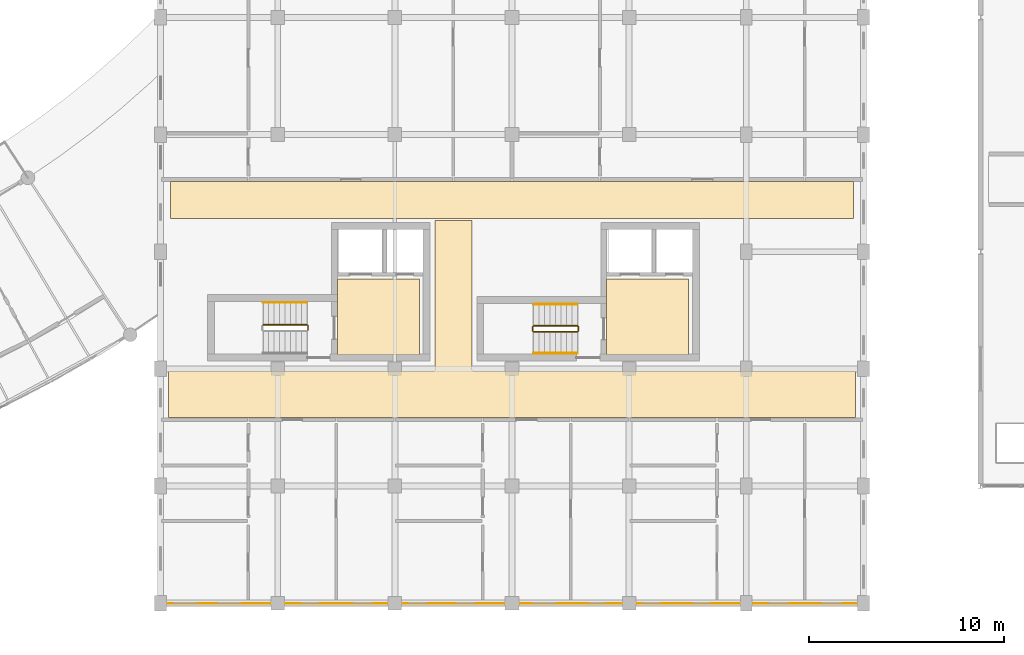
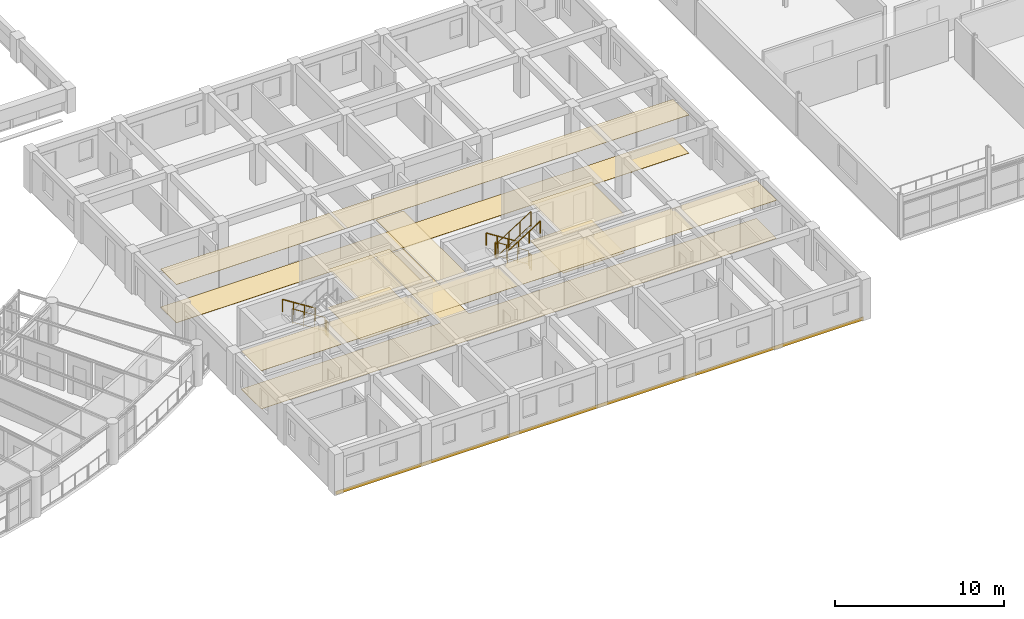
# One storey, part 127 of 137: 9 coverings, 9 railings.
"""IFC4 building model written with IfcOpenShell, lengths in metres."""

from ifc_helpers import new_model, si_unit, direction, frame, origin, origin_2d, place, context, subcontext, project, spatial, polyline, circle, outline, extrude, material, layer, layer_set, type_object, element, save


model = new_model("IFC4")

# Units and contexts
model_context = context("Model", 3, precision=1e-05, world=origin(), true_north=direction((0.0, 1.0)))
body_context = subcontext(model_context, "Body", "Model", "MODEL_VIEW")
ifc_project = project(units=[si_unit("LENGTHUNIT", "METRE"), si_unit("AREAUNIT", "SQUARE_METRE"), si_unit("VOLUMEUNIT", "CUBIC_METRE"), si_unit("PLANEANGLEUNIT", "RADIAN"), si_unit("MASSUNIT", "GRAM", prefix="KILO"), si_unit("POWERUNIT", "WATT"), si_unit("THERMODYNAMICTEMPERATUREUNIT", "KELVIN")], contexts=[model_context])

# Site, building, storey
site_placement = place(None, origin())
site = spatial("IfcSite", under=ifc_project, at=site_placement, CompositionType="ELEMENT")
building_placement = place(site_placement, origin())
building = spatial("IfcBuilding", under=site, at=building_placement, Name="Ruvembo Vaulted Housing Court", CompositionType="ELEMENT")
storey_placement = place(building_placement, frame((0.0, 0.0, 4.5)))
storey = spatial("IfcBuildingStorey", under=building, at=storey_placement, Name="L01", CompositionType="ELEMENT", Elevation=4.5)

# Coverings
ifc_material_1 = material(Name="Perforated Mineral-Fibre Acoustic Tile", Category="gypsum")
ifc_layer_1 = layer(ifc_material_1, 0.02001953125, Name="Perforated Mineral-Fibre Acoustic Tile")
ifc_layer_set_1 = layer_set([ifc_layer_1], Name="Perforated Mineral-Fibre Acoustic Tile")
covering_type_1 = type_object("IfcCoveringType", Name="COV-CEIL-ACOUST", PredefinedType="CEILING", material=ifc_layer_set_1)
covering_1_placement = place(storey_placement, frame((0.0, 0.0, 2.75)))
element("IfcCovering", 1, at=covering_1_placement, inside=storey, type_object=covering_type_1, Name="Protected Core Lobby C1 Ceiling", PredefinedType="CEILING", context=body_context, shape_type="SweptSolid", body=[
    extrude(outline(polyline([(111.050048828125, 16.60009765625), (111.050048828125, 12.699951171875), (115.25, 12.699951171875), (115.25, 16.60009765625), (111.050048828125, 16.60009765625)])), origin(), (0.0, 0.0, 1.0), 0.02001953125),
])
covering_2_placement = place(storey_placement, frame((0.0, 0.0, 2.75)))
element("IfcCovering", 2, at=covering_2_placement, inside=storey, type_object=covering_type_1, Name="Protected Core Lobby C2 Ceiling", PredefinedType="CEILING", context=body_context, shape_type="SweptSolid", body=[
    extrude(outline(polyline([(124.85009765625, 16.60009765625), (124.85009765625, 12.699951171875), (129.050048828125, 12.699951171875), (129.050048828125, 16.60009765625), (124.85009765625, 16.60009765625)])), origin(), (0.0, 0.0, 1.0), 0.02001953125),
])
covering_3_placement = place(storey_placement, frame((0.0, 0.0, 2.75)))
element("IfcCovering", 3, at=covering_3_placement, inside=storey, type_object=covering_type_1, Name="Block C L01 Corridor Ceiling", PredefinedType="CEILING", context=body_context, shape_type="SweptSolid", body=[
    extrude(outline(polyline([(115.949951171875, 11.889892578125), (102.409912109375, 11.889892578125), (102.409912109375, 9.510009765625), (137.590087890625, 9.510009765625), (137.590087890625, 11.889892578125), (118.050048828125, 11.889892578125), (118.039306640625, 11.890380859375), (118.028564453125, 11.89208984375), (118.01806640625, 11.894775390625), (118.0078125, 11.8984375), (117.998046875, 11.903076171875), (117.989013671875, 11.908447265625), (117.980224609375, 11.9150390625), (117.97216796875, 11.922119140625), (117.965087890625, 11.93017578125), (117.95849609375, 11.93896484375), (117.952880859375, 11.947998046875), (117.948486328125, 11.9580078125), (117.944580078125, 11.968017578125), (117.942138671875, 11.978515625), (117.9404296875, 11.9892578125), (117.93994140625, 12.0), (117.93994140625, 19.590087890625), (116.06005859375, 19.590087890625), (116.06005859375, 12.0), (116.0595703125, 11.9892578125), (116.057861328125, 11.978515625), (116.055419921875, 11.968017578125), (116.051513671875, 11.9580078125), (116.047119140625, 11.947998046875), (116.04150390625, 11.93896484375), (116.034912109375, 11.93017578125), (116.02783203125, 11.922119140625), (116.019775390625, 11.9150390625), (116.010986328125, 11.908447265625), (116.001953125, 11.903076171875), (115.9921875, 11.8984375), (115.98193359375, 11.894775390625), (115.971435546875, 11.89208984375), (115.960693359375, 11.890380859375), (115.949951171875, 11.889892578125)])), origin(), (0.0, 0.0, 1.0), 0.02001953125),
])
covering_4_placement = place(storey_placement, frame((0.0, 0.0, 2.75)))
element("IfcCovering", 4, at=covering_4_placement, inside=storey, type_object=covering_type_1, Name="Block C L01 North Sub-Corridor Ceiling", PredefinedType="CEILING", context=body_context, shape_type="SweptSolid", body=[
    extrude(outline(polyline([(137.489990234375, 19.7099609375), (137.489990234375, 21.590087890625), (102.510009765625, 21.590087890625), (102.510009765625, 19.7099609375), (137.489990234375, 19.7099609375)])), origin(), (0.0, 0.0, 1.0), 0.02001953125),
])
ifc_material_2 = material(Name="Lime-Cement Mineral Render", Category="plaster")
ifc_layer_2 = layer(ifc_material_2, 0.02490234375, Name="Lime-Cement Mineral Render")
ifc_layer_set_2 = layer_set([ifc_layer_2], Name="Lime-Cement Mineral Render")
covering_type_2 = type_object("IfcCoveringType", Name="COV-CLAD-RENDER", PredefinedType="CLADDING", material=ifc_layer_set_2)
covering_5_placement = place(storey_placement, frame((0.0, 0.0, -0.25)))
element("IfcCovering", 5, at=covering_5_placement, inside=storey, type_object=covering_type_2, Name="Block C L01 Mineral Render Fascia Band", PredefinedType="CLADDING", context=body_context, shape_type="SweptSolid", body=[
    extrude(outline(polyline([(102.0, -0.030029296875), (138.0, -0.030029296875), (138.0, 0.0), (102.0, 0.0), (102.0, -0.030029296875)])), origin(), (0.0, 0.0, 1.0), 0.25),
])
ifc_material_3 = material(Name="Polished Cement-Aggregate Terrazzo", Category="stone")
ifc_layer_3 = layer(ifc_material_3, 0.02197265625, Name="Polished Cement-Aggregate Terrazzo")
ifc_layer_set_3 = layer_set([ifc_layer_3], Name="Polished Cement-Aggregate Terrazzo")
covering_type_3 = type_object("IfcCoveringType", Name="COV-FLR-CERAMIC", PredefinedType="FLOORING", material=ifc_layer_set_3)
covering_6_placement = place(storey_placement, origin())
element("IfcCovering", 6, at=covering_6_placement, inside=storey, type_object=covering_type_3, Name="Protected Core Lobby C1 Flooring", PredefinedType="FLOORING", context=body_context, shape_type="SweptSolid", body=[
    extrude(outline(polyline([(111.050048828125, 16.60009765625), (111.050048828125, 12.699951171875), (115.25, 12.699951171875), (115.25, 16.60009765625), (111.050048828125, 16.60009765625)])), origin(), (0.0, 0.0, 1.0), 0.02197265625),
])
covering_7_placement = place(storey_placement, origin())
element("IfcCovering", 7, at=covering_7_placement, inside=storey, type_object=covering_type_3, Name="Protected Core Lobby C2 Flooring", PredefinedType="FLOORING", context=body_context, shape_type="SweptSolid", body=[
    extrude(outline(polyline([(124.85009765625, 16.60009765625), (124.85009765625, 12.699951171875), (129.050048828125, 12.699951171875), (129.050048828125, 16.60009765625), (124.85009765625, 16.60009765625)])), origin(), (0.0, 0.0, 1.0), 0.02197265625),
])
covering_8_placement = place(storey_placement, origin())
element("IfcCovering", 8, at=covering_8_placement, inside=storey, type_object=covering_type_3, Name="Block C L01 Corridor Flooring", PredefinedType="FLOORING", context=body_context, shape_type="SweptSolid", body=[
    extrude(outline(polyline([(115.949951171875, 11.889892578125), (102.409912109375, 11.889892578125), (102.409912109375, 9.510009765625), (137.590087890625, 9.510009765625), (137.590087890625, 11.889892578125), (118.050048828125, 11.889892578125), (118.039306640625, 11.890380859375), (118.028564453125, 11.89208984375), (118.01806640625, 11.894775390625), (118.0078125, 11.8984375), (117.998046875, 11.903076171875), (117.989013671875, 11.908447265625), (117.980224609375, 11.9150390625), (117.97216796875, 11.922119140625), (117.965087890625, 11.93017578125), (117.95849609375, 11.93896484375), (117.952880859375, 11.947998046875), (117.948486328125, 11.9580078125), (117.944580078125, 11.968017578125), (117.942138671875, 11.978515625), (117.9404296875, 11.9892578125), (117.93994140625, 12.0), (117.93994140625, 19.590087890625), (116.06005859375, 19.590087890625), (116.06005859375, 12.0), (116.0595703125, 11.9892578125), (116.057861328125, 11.978515625), (116.055419921875, 11.968017578125), (116.051513671875, 11.9580078125), (116.047119140625, 11.947998046875), (116.04150390625, 11.93896484375), (116.034912109375, 11.93017578125), (116.02783203125, 11.922119140625), (116.019775390625, 11.9150390625), (116.010986328125, 11.908447265625), (116.001953125, 11.903076171875), (115.9921875, 11.8984375), (115.98193359375, 11.894775390625), (115.971435546875, 11.89208984375), (115.960693359375, 11.890380859375), (115.949951171875, 11.889892578125)])), origin(), (0.0, 0.0, 1.0), 0.02197265625),
])
covering_9_placement = place(storey_placement, origin())
element("IfcCovering", 9, at=covering_9_placement, inside=storey, type_object=covering_type_3, Name="Block C L01 North Sub-Corridor Flooring", PredefinedType="FLOORING", context=body_context, shape_type="SweptSolid", body=[
    extrude(outline(polyline([(137.489990234375, 19.7099609375), (137.489990234375, 21.590087890625), (102.510009765625, 21.590087890625), (102.510009765625, 19.7099609375), (137.489990234375, 19.7099609375)])), origin(), (0.0, 0.0, 1.0), 0.02197265625),
])

# Railings
ifc_material_4 = material(Name="Painted Galvanised Steel S275", Category="steel")
ifc_layer_4 = layer(ifc_material_4, 0.06005859375, Name="Painted Galvanised Steel S275")
ifc_layer_set_4 = layer_set([ifc_layer_4], Name="Painted Galvanised Steel S275")
railing_type_1 = type_object("IfcRailingType", Name="RL-STAIR-GR1100", PredefinedType="GUARDRAIL", material=ifc_layer_set_4)
railing_1_placement = place(storey_placement, frame((109.5, 14.25, 0.177734375)))
element("IfcRailing", 10, at=railing_1_placement, inside=storey, type_object=railing_type_1, Name="L01 ST-C1 stair guard 1", PredefinedType="GUARDRAIL", context=body_context, shape_type="SweptSolid", body=[
    extrude(circle(Radius=0.02392578125, at=origin_2d()), frame((0.0, 0.0, 1.076171875), z_axis=(-0.84418770128, 0.0, 0.536047689118), x_axis=(0.0, -1.0, 0.0)), (0.0, 0.0, 1.0), 2.6533203125),
    extrude(circle(Radius=0.01806640625, at=origin_2d()), frame((0.0, 0.0, 0.1201171875), z_axis=(-0.84418770128, 0.0, 0.536047689118), x_axis=(0.0, -1.0, 0.0)), (0.0, 0.0, 1.0), 2.6533203125),
    extrude(circle(Radius=0.02099609375, at=origin_2d()), origin(), (0.0, 0.0, 1.0), 1.052001953125),
    extrude(circle(Radius=0.02099609375, at=origin_2d()), frame((-0.74658203125, 0.0, 0.47412109375)), (0.0, 0.0, 1.0), 1.052001953125),
    extrude(circle(Radius=0.02099609375, at=origin_2d()), frame((-1.493408203125, 0.0, 0.9482421875)), (0.0, 0.0, 1.0), 1.052001953125),
    extrude(circle(Radius=0.02099609375, at=origin_2d()), frame((-2.239990234375, 0.0, 1.42236328125)), (0.0, 0.0, 1.0), 1.052001953125),
])
railing_2_placement = place(storey_placement, frame((109.550048828125, 14.199951171875, 0.0)))
element("IfcRailing", 11, at=railing_2_placement, inside=storey, type_object=railing_type_1, Name="L01 ST-C1 stair guard 4", PredefinedType="GUARDRAIL", context=body_context, shape_type="SweptSolid", body=[
    extrude(circle(Radius=0.02392578125, at=origin_2d()), frame((0.0, 0.0, 1.076171875), z_axis=(0.0, -1.0, 0.0), x_axis=(1.0, 0.0, 0.0)), (0.0, 0.0, 1.0), 0.199951171875),
    extrude(circle(Radius=0.01806640625, at=origin_2d()), frame((0.0, 0.0, 0.1201171875), z_axis=(0.0, -1.0, 0.0), x_axis=(1.0, 0.0, 0.0)), (0.0, 0.0, 1.0), 0.199951171875),
    extrude(circle(Radius=0.02099609375, at=origin_2d()), origin(), (0.0, 0.0, 1.0), 1.052001953125),
    extrude(circle(Radius=0.02099609375, at=origin_2d()), frame((0.0, -0.199951171875, 0.0)), (0.0, 0.0, 1.0), 1.052001953125),
])
railing_3_placement = place(storey_placement, frame((123.35009765625, 14.199951171875, 0.177734375)))
element("IfcRailing", 12, at=railing_3_placement, inside=storey, type_object=railing_type_1, Name="L01 ST-C2 stair guard 1", PredefinedType="GUARDRAIL", context=body_context, shape_type="SweptSolid", body=[
    extrude(circle(Radius=0.02392578125, at=origin_2d()), frame((0.0, 0.0, 1.076171875), z_axis=(-0.84418770128, 0.0, 0.536047689118), x_axis=(0.0, -1.0, 0.0)), (0.0, 0.0, 1.0), 2.6533203125),
    extrude(circle(Radius=0.01806640625, at=origin_2d()), frame((0.0, 0.0, 0.1201171875), z_axis=(-0.84418770128, 0.0, 0.536047689118), x_axis=(0.0, -1.0, 0.0)), (0.0, 0.0, 1.0), 2.6533203125),
    extrude(circle(Radius=0.02099609375, at=origin_2d()), origin(), (0.0, 0.0, 1.0), 1.052001953125),
    extrude(circle(Radius=0.02099609375, at=origin_2d()), frame((-0.74658203125, 0.0, 0.47412109375)), (0.0, 0.0, 1.0), 1.052001953125),
    extrude(circle(Radius=0.02099609375, at=origin_2d()), frame((-1.493408203125, 0.0, 0.9482421875)), (0.0, 0.0, 1.0), 1.052001953125),
    extrude(circle(Radius=0.02099609375, at=origin_2d()), frame((-2.239990234375, 0.0, 1.42236328125)), (0.0, 0.0, 1.0), 1.052001953125),
])
railing_4_placement = place(storey_placement, frame((121.06005859375, 14.14990234375, 1.60009765625)))
element("IfcRailing", 13, at=railing_4_placement, inside=storey, type_object=railing_type_1, Name="L01 ST-C2 stair guard 2", PredefinedType="GUARDRAIL", context=body_context, shape_type="SweptSolid", body=[
    extrude(circle(Radius=0.02392578125, at=origin_2d()), frame((0.0, 0.0, 1.076171875), z_axis=(0.0, -1.0, 0.0), x_axis=(1.0, 0.0, 0.0)), (0.0, 0.0, 1.0), 0.199951171875),
    extrude(circle(Radius=0.01806640625, at=origin_2d()), frame((0.0, 0.0, 0.1201171875), z_axis=(0.0, -1.0, 0.0), x_axis=(1.0, 0.0, 0.0)), (0.0, 0.0, 1.0), 0.199951171875),
    extrude(circle(Radius=0.02099609375, at=origin_2d()), origin(), (0.0, 0.0, 1.0), 1.052001953125),
    extrude(circle(Radius=0.02099609375, at=origin_2d()), frame((0.0, -0.199951171875, 0.0)), (0.0, 0.0, 1.0), 1.052001953125),
])
railing_5_placement = place(storey_placement, frame((121.110107421875, 13.89990234375, 1.77783203125)))
element("IfcRailing", 14, at=railing_5_placement, inside=storey, type_object=railing_type_1, Name="L01 ST-C2 stair guard 3", PredefinedType="GUARDRAIL", context=body_context, shape_type="SweptSolid", body=[
    extrude(circle(Radius=0.02392578125, at=origin_2d()), frame((0.0, 0.0, 1.076171875), z_axis=(0.8442293374, 0.0, 0.53598211339), x_axis=(0.0, 1.0, 0.0)), (0.0, 0.0, 1.0), 2.6533203125),
    extrude(circle(Radius=0.01806640625, at=origin_2d()), frame((0.0, 0.0, 0.1201171875), z_axis=(0.8442293374, 0.0, 0.53598211339), x_axis=(0.0, 1.0, 0.0)), (0.0, 0.0, 1.0), 2.6533203125),
    extrude(circle(Radius=0.02099609375, at=origin_2d()), origin(), (0.0, 0.0, 1.0), 1.052001953125),
    extrude(circle(Radius=0.02099609375, at=origin_2d()), frame((0.74658203125, 0.0, 0.47412109375)), (0.0, 0.0, 1.0), 1.052001953125),
    extrude(circle(Radius=0.02099609375, at=origin_2d()), frame((1.493408203125, 0.0, 0.947998046875)), (0.0, 0.0, 1.0), 1.052001953125),
    extrude(circle(Radius=0.02099609375, at=origin_2d()), frame((2.239990234375, 0.0, 1.422119140625)), (0.0, 0.0, 1.0), 1.052001953125),
])
railing_6_placement = place(storey_placement, frame((123.39990234375, 14.14990234375, 0.0)))
element("IfcRailing", 15, at=railing_6_placement, inside=storey, type_object=railing_type_1, Name="L01 ST-C2 stair guard 4", PredefinedType="GUARDRAIL", context=body_context, shape_type="SweptSolid", body=[
    extrude(circle(Radius=0.02392578125, at=origin_2d()), frame((0.0, 0.0, 1.076171875), z_axis=(0.0, -1.0, 0.0), x_axis=(1.0, 0.0, 0.0)), (0.0, 0.0, 1.0), 0.199951171875),
    extrude(circle(Radius=0.01806640625, at=origin_2d()), frame((0.0, 0.0, 0.1201171875), z_axis=(0.0, -1.0, 0.0), x_axis=(1.0, 0.0, 0.0)), (0.0, 0.0, 1.0), 0.199951171875),
    extrude(circle(Radius=0.02099609375, at=origin_2d()), origin(), (0.0, 0.0, 1.0), 1.052001953125),
    extrude(circle(Radius=0.02099609375, at=origin_2d()), frame((0.0, -0.199951171875, 0.0)), (0.0, 0.0, 1.0), 1.052001953125),
])
ifc_material_5 = material(Name="Brushed Stainless Steel 304", Category="steel")
ifc_layer_5 = layer(ifc_material_5, 0.050048828125, Name="Brushed Stainless Steel 304")
ifc_layer_set_5 = layer_set([ifc_layer_5], Name="Brushed Stainless Steel 304")
railing_type_2 = type_object("IfcRailingType", Name="RL-STAIR-HR920", PredefinedType="HANDRAIL", material=ifc_layer_set_5)
for number, where, name in (
    (16, (109.5, 15.39990234375, 0.359375), "L01 ST-C1 stair handrail 1"),
    (17, (123.35009765625, 15.300048828125, 0.359375), "L01 ST-C2 stair handrail 1"),
):
    element("IfcRailing", number, at=place(storey_placement, frame(where)), inside=storey, type_object=railing_type_2, Name=name, PredefinedType="HANDRAIL", context=body_context, shape_type="SweptSolid", body=[
        extrude(circle(Radius=0.02392578125, at=origin_2d()), frame((0.0, 0.0, 0.8759765625), z_axis=(-0.8442293374, 0.0, 0.53598211339), x_axis=(0.0, -1.0, 0.0)), (0.0, 0.0, 1.0), 2.6533203125),
        extrude(circle(Radius=0.02099609375, at=origin_2d()), origin(), (0.0, 0.0, 1.0), 0.851806640625),
        extrude(circle(Radius=0.02099609375, at=origin_2d()), frame((-0.74658203125, 0.0, 0.47412109375)), (0.0, 0.0, 1.0), 0.851806640625),
        extrude(circle(Radius=0.02099609375, at=origin_2d()), frame((-1.493408203125, 0.0, 0.947998046875)), (0.0, 0.0, 1.0), 0.851806640625),
        extrude(circle(Radius=0.02099609375, at=origin_2d()), frame((-2.239990234375, 0.0, 1.422119140625)), (0.0, 0.0, 1.0), 0.851806640625),
    ])
railing_7_placement = place(storey_placement, frame((121.110107421875, 12.800048828125, 1.959228515625)))
element("IfcRailing", 18, at=railing_7_placement, inside=storey, type_object=railing_type_2, Name="L01 ST-C2 stair handrail 2", PredefinedType="HANDRAIL", context=body_context, shape_type="SweptSolid", body=[
    extrude(circle(Radius=0.02392578125, at=origin_2d()), frame((0.0, 0.0, 0.8759765625), z_axis=(0.84418770128, 0.0, 0.536047689118), x_axis=(0.0, 1.0, 0.0)), (0.0, 0.0, 1.0), 2.6533203125),
    extrude(circle(Radius=0.02099609375, at=origin_2d()), origin(), (0.0, 0.0, 1.0), 0.851806640625),
    extrude(circle(Radius=0.02099609375, at=origin_2d()), frame((0.74658203125, 0.0, 0.47412109375)), (0.0, 0.0, 1.0), 0.851806640625),
    extrude(circle(Radius=0.02099609375, at=origin_2d()), frame((1.493408203125, 0.0, 0.9482421875)), (0.0, 0.0, 1.0), 0.851806640625),
    extrude(circle(Radius=0.02099609375, at=origin_2d()), frame((2.239990234375, 0.0, 1.42236328125)), (0.0, 0.0, 1.0), 0.851806640625),
])

save(model, "model.ifc")
